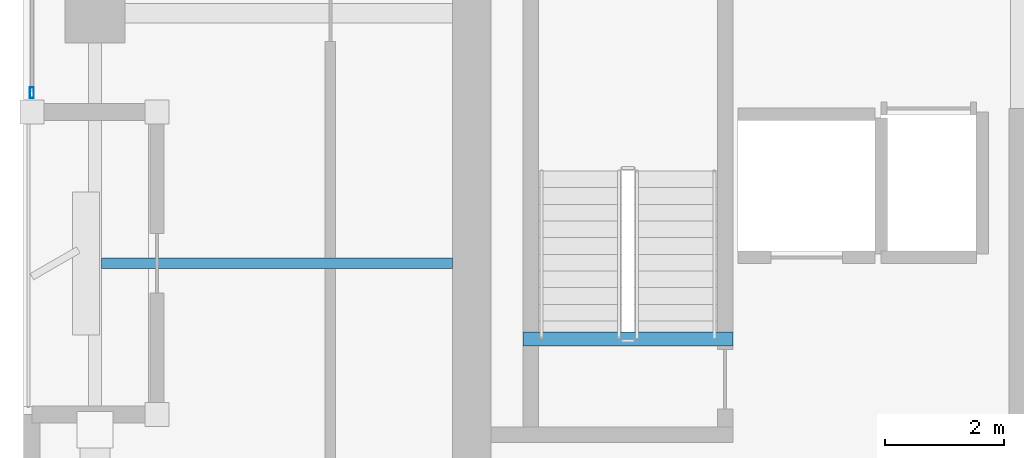
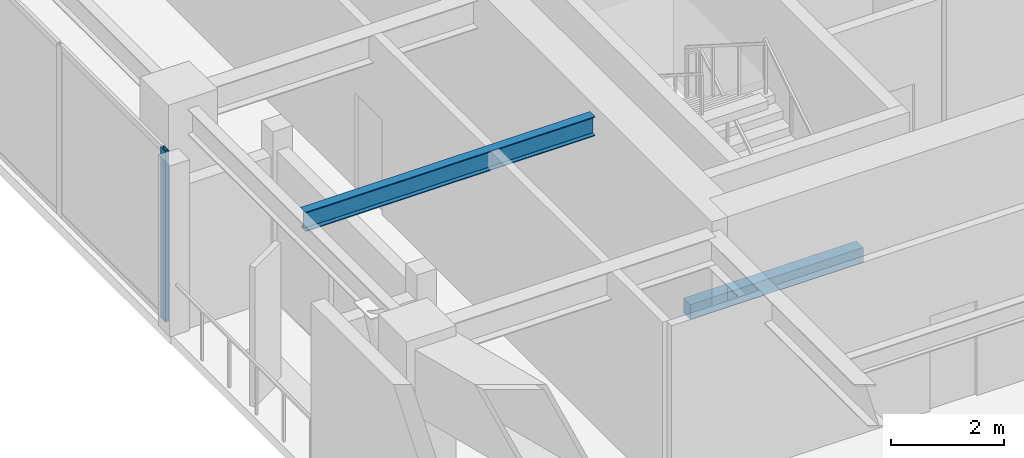
# One storey, part 2 of 21: 2 beams, 1 member, 1 element without a shape of its own.
"""IFC4 building model written with IfcOpenShell, lengths in metres."""

from ifc_helpers import new_model, si_unit, direction, frame, origin, origin_2d, place, context, subcontext, project, spatial, rectangle, hollow_rectangle, i_section, extrude, material, layer, layer_set, material_profile, profile_set, type_object, element, aggregate, save


model = new_model("IFC4")

# Units and contexts
model_context = context("Model", 3, precision=1e-05, world=origin(), true_north=direction((0.0, 1.0)))
body_context = subcontext(model_context, "Body", "Model", "MODEL_VIEW")
ifc_project = project(units=[si_unit("LENGTHUNIT", "METRE"), si_unit("AREAUNIT", "SQUARE_METRE"), si_unit("VOLUMEUNIT", "CUBIC_METRE"), si_unit("PLANEANGLEUNIT", "RADIAN"), si_unit("MASSUNIT", "GRAM", prefix="KILO")], contexts=[model_context])

# Site, building, storey
site_placement = place(None, origin())
site = spatial("IfcSite", under=ifc_project, at=site_placement, CompositionType="ELEMENT")
building_placement = place(site_placement, origin())
building = spatial("IfcBuilding", under=site, at=building_placement, Name="Kiyonajd Concourse Tower", CompositionType="ELEMENT")
storey_placement = place(building_placement, frame((0.0, 0.0, 231.0)))
storey = spatial("IfcBuildingStorey", under=building, at=storey_placement, Name="L58", CompositionType="ELEMENT", Elevation=231.0)

# Beams
ifc_material_1 = material(Name="Steel ASTM A992 Grade 50", Category="steel")
ifc_material_profile_1 = material_profile(ifc_material_1, i_section(OverallWidth=0.180908203125, OverallDepth=0.4169921875, WebThickness=0.010986328125, FlangeThickness=0.018310546875, at=origin_2d()), Name="W410X85")
ifc_profile_set_1 = profile_set([ifc_material_profile_1], Name="Steel ASTM A992 Grade 50")
beam_type_1 = type_object("IfcBeamType", Name="BM-JST-410", PredefinedType="JOIST", material=ifc_profile_set_1)
beam_1_placement = place(storey_placement, frame((26.507080078125, 31.800048828125, 3.471435546875), z_axis=(1.0, 0.0, 0.0), x_axis=(0.0, 1.0, 0.0)))
element("IfcBeam", 1, at=beam_1_placement, inside=storey, type_object=beam_type_1, Name="L58 West Secondary Floor Joist", PredefinedType="JOIST", context=body_context, shape_type="SweptSolid", body=[
    extrude(i_section(OverallWidth=0.180908203125, OverallDepth=0.4169921875, WebThickness=0.010986328125, FlangeThickness=0.018310546875, at=origin_2d()), origin(), (0.0, 0.0, 1.0), 5.892822265625),
])
ifc_material_2 = material(Name="Concrete C50/60", Category="concrete")
ifc_material_profile_2 = material_profile(ifc_material_2, rectangle(XDim=0.239990234375, YDim=0.320068359375, at=origin_2d()), Name="RCBM-240x320")
ifc_profile_set_2 = profile_set([ifc_material_profile_2], Name="Concrete C50/60")
beam_type_2 = type_object("IfcBeamType", Name="BM-LNT-250", PredefinedType="LINTEL", material=ifc_profile_set_2)
beam_2_placement = place(storey_placement, frame((33.590087890625, 30.530029296875, -0.159912109375), z_axis=(1.0, 0.0, 0.0), x_axis=(0.0, 1.0, 0.0)))
element("IfcBeam", 2, at=beam_2_placement, inside=storey, type_object=beam_type_2, Name="L58 Stair ST1 Threshold Support Beam", PredefinedType="LINTEL", context=body_context, shape_type="SweptSolid", body=[
    extrude(rectangle(XDim=0.239990234375, YDim=0.320068359375, at=origin_2d()), origin(), (0.0, 0.0, 1.0), 3.52001953125),
])

# Curtain wall, member
ifc_material_3 = material(Name="Thermally Broken Anodised Aluminium", Category="aluminium")
ifc_layer = layer(ifc_material_3, 0.179931640625)
ifc_layer_set = layer_set([ifc_layer], Name="Thermally Broken Anodised Aluminium")
curtain_wall_type = type_object("IfcCurtainWallType", Name="CW-SYS-04", PredefinedType="NOTDEFINED", material=ifc_layer_set)
curtain_wall_placement = place(storey_placement, origin())
curtain_wall = element("IfcCurtainWall", 3, at=curtain_wall_placement, inside=storey, type_object=curtain_wall_type, Name="L58 Unitised Curtain Wall CW4", PredefinedType="NOTDEFINED")
ifc_material_profile_3 = material_profile(ifc_material_3, hollow_rectangle(XDim=0.06494140625, YDim=0.179931640625, WallThickness=0.00390625, at=origin_2d()), Name="MULL-65x180")
ifc_profile_set_3 = profile_set([ifc_material_profile_3], Name="Thermally Broken Anodised Aluminium")
member_type = type_object("IfcMemberType", Name="MB-CW-MULL1", PredefinedType="MULLION", material=ifc_profile_set_3)
member_placement = place(storey_placement, frame((25.340087890625, 34.66259765625, 0.0), z_axis=(0.0, 0.0, 1.0), x_axis=(-1.0, 0.0, 0.0)))
member = element("IfcMember", 4, at=member_placement, type_object=member_type, Name="CW4 mullion 1", PredefinedType="MULLION", context=body_context, shape_type="SweptSolid", body=[
    extrude(hollow_rectangle(XDim=0.06494140625, YDim=0.179931640625, WallThickness=0.00390625, at=origin_2d()), origin(), (0.0, 0.0, 1.0), 3.679931640625),
])
aggregate(curtain_wall, [member])

save(model, "model.ifc")
